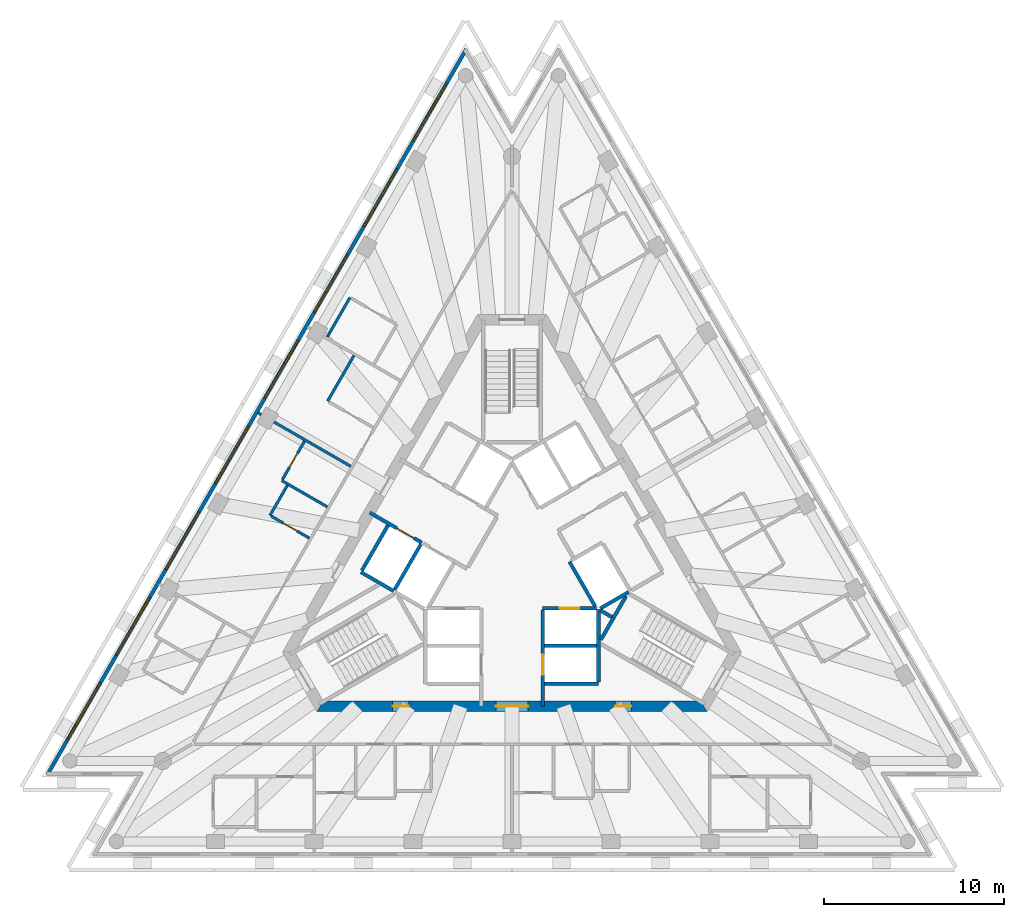
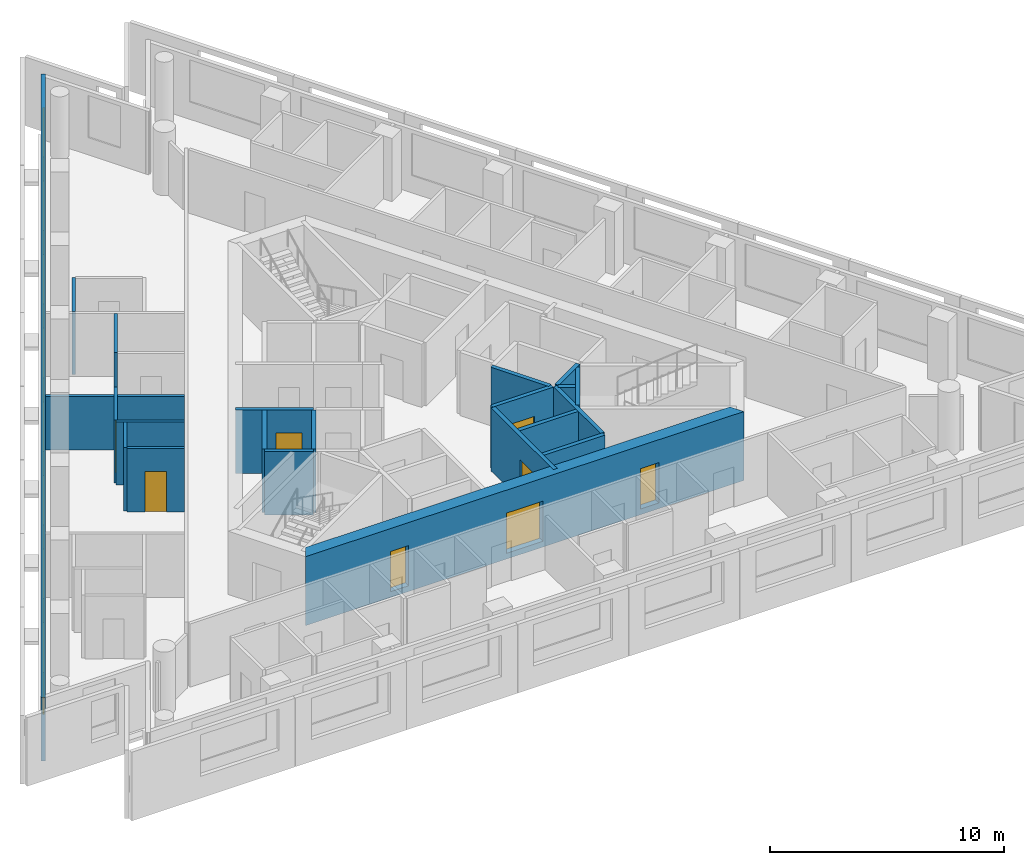
# One storey, part 4 of 9: 22 walls, 8 doors, 8 windows, 16 openings.
"""IFC4 building model written with IfcOpenShell, lengths in metres."""

from ifc_helpers import new_model, si_unit, direction, frame, frame_2d, origin, place, context, subcontext, project, spatial, polyline, rectangle, outline, extrude, material, layer, layer_set, layer_usage, type_object, element, fill, save


model = new_model("IFC4")

# Units and contexts
model_context = context("Model", 3, precision=1e-05, world=origin(), true_north=direction((0.0, 1.0)))
body_context = subcontext(model_context, "Body", "Model", "MODEL_VIEW")
ifc_project = project(units=[si_unit("LENGTHUNIT", "METRE"), si_unit("AREAUNIT", "SQUARE_METRE"), si_unit("VOLUMEUNIT", "CUBIC_METRE"), si_unit("PLANEANGLEUNIT", "RADIAN"), si_unit("MASSUNIT", "GRAM", prefix="KILO")], contexts=[model_context])

# Site, building, storey
site_placement = place(None, origin())
site = spatial("IfcSite", under=ifc_project, at=site_placement, CompositionType="ELEMENT")
building_placement = place(site_placement, origin())
building = spatial("IfcBuilding", under=site, at=building_placement, Name="Triada Interchange Tower", CompositionType="ELEMENT")
storey_placement = place(building_placement, frame((0.0, 0.0, 282.699951171875)))
storey = spatial("IfcBuildingStorey", under=building, at=storey_placement, Name="L66", CompositionType="ELEMENT", Elevation=282.699951171875)

# Walls
ifc_material_1 = material(Name="Concrete C30/37", Category="concrete")
ifc_layer_1 = layer(ifc_material_1, 0.199951171875)
ifc_layer_set_1 = layer_set([ifc_layer_1], Name="CORE WALL 200 EI 120")
wall_type_1 = type_object("IfcWallType", Name="CORE WALL 200 EI 120", PredefinedType="SOLIDWALL", material=ifc_layer_set_1)
wall_1_placement = place(storey_placement, frame((-8.3759765625, -0.70703125, 0.0), z_axis=(0.0, 0.0, 1.0), x_axis=(0.866067520717, -0.499927044236, 0.0)))
element("IfcWall", 1, at=wall_1_placement, inside=storey, type_object=wall_type_1, Name="Wall L65 70", PredefinedType="SOLIDWALL", context=body_context, shape_type="SweptSolid", body=[
    extrude(rectangle(XDim=2.100341796875, YDim=0.199951171875, at=frame_2d((1.05029296875, 0.0))), origin(), (0.0, 0.0, 1.0), 3.300048828125),
])
wall_2_placement = place(storey_placement, frame((-8.325927734375, -0.6201171875, 0.0), z_axis=(0.0, 0.0, 1.0), x_axis=(0.500023687443, 0.866011727401, 0.0)))
element("IfcWall", 2, at=wall_2_placement, inside=storey, type_object=wall_type_1, Name="Wall L65 71", PredefinedType="SOLIDWALL", context=body_context, shape_type="SweptSolid", body=[
    extrude(rectangle(XDim=2.899658203125, YDim=0.199951171875, at=frame_2d((1.44970703125, 0.0))), origin(), (0.0, 0.0, 1.0), 3.300048828125),
])
wall_3_placement = place(storey_placement, frame((1.800048828125, -4.800048828125, 0.0), z_axis=(0.0, 0.0, 1.0), x_axis=(1.0, 0.0, 0.0)))
element("IfcWall", 3, at=wall_3_placement, inside=storey, type_object=wall_type_1, Name="Wall L65 73", PredefinedType="SOLIDWALL", context=body_context, shape_type="SweptSolid", body=[
    extrude(rectangle(XDim=2.89990234375, YDim=0.199951171875, at=frame_2d((1.449951171875, 0.0))), origin(), (0.0, 0.0, 1.0), 3.300048828125),
])
wall_4_placement = place(storey_placement, frame((1.800048828125, -6.89990234375, 0.0), z_axis=(0.0, 0.0, 1.0), x_axis=(1.0, 0.0, 0.0)))
element("IfcWall", 4, at=wall_4_placement, inside=storey, type_object=wall_type_1, Name="Wall L65 76", PredefinedType="SOLIDWALL", context=body_context, shape_type="SweptSolid", body=[
    extrude(rectangle(XDim=3.0, YDim=0.199951171875, at=frame_2d((1.5, 0.0))), origin(), (0.0, 0.0, 1.0), 3.300048828125),
])

# Wall, opening, door
wall_5_placement = place(storey_placement, frame((1.702880859375, -2.699951171875, 0.0), z_axis=(0.0, 0.0, 1.0), x_axis=(1.0, 0.0, 0.0)))
wall_5 = element("IfcWall", 5, at=wall_5_placement, inside=storey, type_object=wall_type_1, Name="Wall L65 79", PredefinedType="SOLIDWALL", context=body_context, shape_type="SweptSolid", body=[
    extrude(rectangle(XDim=2.97314453125, YDim=0.199951171875, at=frame_2d((1.486572265625, 0.0))), origin(), (0.0, 0.0, 1.0), 3.300048828125),
])
opening_1_placement = place(wall_5_placement, frame((0.93603515625, 0.0, 0.0)))
opening_1 = element("IfcOpeningElement", 6, at=opening_1_placement, cuts=wall_5, Name="Opening LD-HR1", PredefinedType="OPENING", context=body_context, shape_type="SweptSolid", body=[
    extrude(rectangle(XDim=1.10009765625, YDim=2.10009765625, at=frame_2d((0.550048828125, 1.050048828125))), frame((0.0, 0.10986328125, 0.0), z_axis=(0.0, -1.0, 0.0), x_axis=(1.0, 0.0, 0.0)), (0.0, 0.0, 1.0), 0.219970703125),
])
ifc_material_2 = material(Name="Steel S235 door leaf", Category="steel")
door_type_1 = type_object("IfcDoorType", Name="LIFT LANDING DOOR 1100 EI 120", OperationType="SLIDING_TO_LEFT", PredefinedType="DOOR", material=ifc_material_2)
door_1_placement = place(opening_1_placement, origin())
door_1 = element("IfcDoor", 7, at=door_1_placement, inside=storey, type_object=door_type_1, Name="HR1 landing door L66", OperationType="SLIDING_TO_LEFT", OverallHeight=2.10009765625, OverallWidth=1.10009765625, PredefinedType="DOOR", context=body_context, shape_type="SweptSolid", body=[
    extrude(rectangle(XDim=1.10009765625, YDim=2.10009765625, at=frame_2d((0.550048828125, 1.050048828125))), frame((0.0, 0.02490234375, 0.0), z_axis=(0.0, -1.0, 0.0), x_axis=(1.0, 0.0, 0.0)), (0.0, 0.0, 1.0), 0.050048828125),
])
fill(opening_1, door_1)

# Wall
wall_6_placement = place(storey_placement, frame((3.18994140625, -0.125, 0.0), z_axis=(0.0, 0.0, 1.0), x_axis=(0.499988658015, -0.866031951983, 0.0)))
element("IfcWall", 8, at=wall_6_placement, inside=storey, type_object=wall_type_1, Name="Wall L65 82", PredefinedType="SOLIDWALL", context=body_context, shape_type="SweptSolid", body=[
    extrude(rectangle(XDim=2.85791015625, YDim=0.199951171875, at=frame_2d((1.428955078125, 0.0))), origin(), (0.0, 0.0, 1.0), 3.300048828125),
])

# Wall, opening, door
wall_7_placement = place(storey_placement, frame((1.699951171875, -8.1298828125, 0.0), z_axis=(0.0, 0.0, 1.0), x_axis=(0.0, 1.0, 0.0)))
wall_7 = element("IfcWall", 9, at=wall_7_placement, inside=storey, type_object=wall_type_1, Name="Wall L65 84", PredefinedType="SOLIDWALL", context=body_context, shape_type="SweptSolid", body=[
    extrude(rectangle(XDim=5.326904296875, YDim=0.199951171875, at=frame_2d((2.66357421875, 0.0))), origin(), (0.0, 0.0, 1.0), 3.300048828125),
])
opening_2_placement = place(wall_7_placement, frame((1.72998046875, 0.0, 0.0)))
opening_2 = element("IfcOpeningElement", 10, at=opening_2_placement, cuts=wall_7, Name="Opening LD-HR2", PredefinedType="OPENING", context=body_context, shape_type="SweptSolid", body=[
    extrude(rectangle(XDim=1.10009765625, YDim=2.10009765625, at=frame_2d((0.550048828125, 1.050048828125))), frame((0.0, 0.10986328125, 0.0), z_axis=(0.0, -1.0, 0.0), x_axis=(1.0, 0.0, 0.0)), (0.0, 0.0, 1.0), 0.219970703125),
])
door_2_placement = place(opening_2_placement, origin())
door_2 = element("IfcDoor", 11, at=door_2_placement, inside=storey, type_object=door_type_1, Name="HR2 landing door L66", OperationType="SLIDING_TO_LEFT", OverallHeight=2.10009765625, OverallWidth=1.10009765625, PredefinedType="DOOR", context=body_context, shape_type="SweptSolid", body=[
    extrude(rectangle(XDim=1.10009765625, YDim=2.10009765625, at=frame_2d((0.550048828125, 1.050048828125))), frame((0.0, 0.02490234375, 0.0), z_axis=(0.0, -1.0, 0.0), x_axis=(1.0, 0.0, 0.0)), (0.0, 0.0, 1.0), 0.050048828125),
])
fill(opening_2, door_2)

# Walls
wall_8_placement = place(storey_placement, frame((4.800048828125, -6.800048828125, 0.0), z_axis=(0.0, 0.0, 1.0), x_axis=(0.0, 1.0, 0.0)))
element("IfcWall", 12, at=wall_8_placement, inside=storey, type_object=wall_type_1, Name="Wall L65 85", PredefinedType="SOLIDWALL", context=body_context, shape_type="SweptSolid", body=[
    extrude(rectangle(XDim=4.029052734375, YDim=0.199951171875, at=frame_2d((2.0146484375, 0.0))), origin(), (0.0, 0.0, 1.0), 3.300048828125),
])
wall_9_placement = place(storey_placement, frame((4.89990234375, -2.714111328125, 0.0), z_axis=(0.0, 0.0, 1.0), x_axis=(0.865846928409, 0.500309001083, 0.0)))
element("IfcWall", 13, at=wall_9_placement, inside=storey, type_object=wall_type_1, Name="Wall L65 91", PredefinedType="SOLIDWALL", context=body_context, shape_type="SweptSolid", body=[
    extrude(rectangle(XDim=1.813232421875, YDim=0.199951171875, at=frame_2d((0.90673828125, 0.0))), origin(), (0.0, 0.0, 1.0), 3.300048828125),
])

# Wall, opening, door
ifc_layer_2 = layer(ifc_material_1, 0.199951171875)
ifc_layer_set_2 = layer_set([ifc_layer_2], Name="CORE WALL 200 EI 180")
wall_type_2 = type_object("IfcWallType", Name="CORE WALL 200 EI 180", PredefinedType="SOLIDWALL", material=ifc_layer_set_2)
wall_10_placement = place(storey_placement, frame((-7.89111328125, 2.593017578125, 0.0), z_axis=(0.0, 0.0, 1.0), x_axis=(0.866070917804, -0.499921159118, 0.0)))
wall_10 = element("IfcWall", 14, at=wall_10_placement, inside=storey, type_object=wall_type_2, Name="Wall L65 95", PredefinedType="SOLIDWALL", context=body_context, shape_type="SweptSolid", body=[
    extrude(rectangle(XDim=3.33251953125, YDim=0.199951171875, at=frame_2d((1.666259765625, 0.0))), origin(), (0.0, 0.0, 1.0), 3.300048828125),
])
opening_3_placement = place(wall_10_placement, frame((1.72998046875, 0.0, 0.0)))
opening_3 = element("IfcOpeningElement", 15, at=opening_3_placement, cuts=wall_10, Name="Opening LD-SV1", PredefinedType="OPENING", context=body_context, shape_type="SweptSolid", body=[
    extrude(rectangle(XDim=1.10009765625, YDim=2.10009765625, at=frame_2d((0.550048828125, 1.050048828125))), frame((0.0, 0.10986328125, 0.0), z_axis=(0.0, -1.0, 0.0), x_axis=(1.0, 0.0, 0.0)), (0.0, 0.0, 1.0), 0.219970703125),
])
door_3_placement = place(opening_3_placement, origin())
door_3 = element("IfcDoor", 16, at=door_3_placement, inside=storey, type_object=door_type_1, Name="SV1 landing door L66", OperationType="SLIDING_TO_LEFT", OverallHeight=2.10009765625, OverallWidth=1.10009765625, PredefinedType="DOOR", context=body_context, shape_type="SweptSolid", body=[
    extrude(rectangle(XDim=1.10009765625, YDim=2.10009765625, at=frame_2d((0.550048828125, 1.050048828125))), frame((0.0, 0.02490234375, 0.0), z_axis=(0.0, -1.0, 0.0), x_axis=(1.0, 0.0, 0.0)), (0.0, 0.0, 1.0), 0.050048828125),
])
fill(opening_3, door_3)

# Walls
wall_11_placement = place(storey_placement, frame((-6.507080078125, -1.669921875, 0.0), z_axis=(0.0, 0.0, 1.0), x_axis=(0.50012328804, 0.865954211699, 0.0)))
element("IfcWall", 17, at=wall_11_placement, inside=storey, type_object=wall_type_2, Name="Shaft wall FF1 L65 102", PredefinedType="SOLIDWALL", context=body_context, shape_type="SweptSolid", body=[
    extrude(rectangle(XDim=2.899658203125, YDim=0.199951171875, at=frame_2d((1.44970703125, 0.0))), origin(), (0.0, 0.0, 1.0), 3.300048828125),
])
ifc_layer_3 = layer(ifc_material_1, 0.199951171875)
ifc_layer_set_3 = layer_set([ifc_layer_3], Name="CORE WALL 200 EI 90")
wall_type_3 = type_object("IfcWallType", Name="CORE WALL 200 EI 90", PredefinedType="SOLIDWALL", material=ifc_layer_set_3)
wall_12_placement = place(storey_placement, frame((4.89990234375, -2.8291015625, 0.0), z_axis=(0.0, 0.0, 1.0), x_axis=(0.866273177064, -0.499570598314, 0.0)))
element("IfcWall", 18, at=wall_12_placement, inside=storey, type_object=wall_type_3, Name="Wall L65 111", PredefinedType="SOLIDWALL", context=body_context, shape_type="SweptSolid", body=[
    extrude(rectangle(XDim=0.742431640625, YDim=0.199951171875, at=frame_2d((0.37109375, 0.0))), origin(), (0.0, 0.0, 1.0), 3.300048828125),
])
ifc_layer_4 = layer(ifc_material_1, 0.199951171875)
ifc_layer_set_4 = layer_set([ifc_layer_4], Name="CORE WALL 200 REI 240")
wall_type_4 = type_object("IfcWallType", Name="CORE WALL 200 REI 240", PredefinedType="SOLIDWALL", material=ifc_layer_set_4)
wall_13_placement = place(storey_placement, frame((4.928955078125, -4.4619140625, 0.0), z_axis=(0.0, 0.0, 1.0), x_axis=(0.500200581029, 0.865909567298, 0.0)))
element("IfcWall", 19, at=wall_13_placement, inside=storey, type_object=wall_type_4, Name="Wall L65 121", PredefinedType="SOLIDWALL", context=body_context, shape_type="SweptSolid", body=[
    extrude(rectangle(XDim=2.799072265625, YDim=0.199951171875, at=frame_2d((1.3994140625, 0.0))), origin(), (0.0, 0.0, 1.0), 3.300048828125),
])

# Wall, openings, doors
ifc_material_3 = material(Name="Concrete C40/50", Category="concrete")
ifc_layer_5 = layer(ifc_material_3, 0.60009765625)
ifc_layer_set_5 = layer_set([ifc_layer_5], Name="Core wall D 600")
wall_type_5 = type_object("IfcWallType", Name="Core wall D 600", PredefinedType="SHEAR", material=ifc_layer_set_5)
wall_14_placement = place(storey_placement, frame((-10.652099609375, -8.14990234375, -0.300048828125), z_axis=(0.0, 0.0, 1.0), x_axis=(1.0, 0.0, 0.0)))
wall_14 = element("IfcWall", 20, at=wall_14_placement, inside=storey, type_object=wall_type_5, Name="Core wall WD04 L66", PredefinedType="SHEAR", context=body_context, shape_type="SweptSolid", body=[
    extrude(outline(polyline([(-0.173095703125, -0.300048828125), (1.795166015625, -0.300048828125), (3.76318359375, -0.300048828125), (5.7314453125, -0.300048828125), (7.69970703125, -0.300048828125), (9.66796875, -0.300048828125), (11.635986328125, -0.300048828125), (13.604248046875, -0.300048828125), (15.572509765625, -0.300048828125), (17.540771484375, -0.300048828125), (19.5087890625, -0.300048828125), (21.47705078125, -0.300048828125), (21.131103515625, 0.300048828125), (19.225830078125, 0.300048828125), (17.320556640625, 0.300048828125), (15.415283203125, 0.300048828125), (13.510009765625, 0.300048828125), (11.604736328125, 0.300048828125), (9.699462890625, 0.300048828125), (7.794189453125, 0.300048828125), (5.888916015625, 0.300048828125), (3.983642578125, 0.300048828125), (2.078369140625, 0.300048828125), (0.173095703125, 0.300048828125), (-0.173095703125, -0.300048828125)])), origin(), (0.0, 0.0, 1.0), 3.60009765625),
])
opening_4_placement = place(wall_14_placement, frame((9.751953125, 0.0, 0.300048828125)))
opening_4 = element("IfcOpeningElement", 21, at=opening_4_placement, cuts=wall_14, Name="Opening D65-48", PredefinedType="OPENING", context=body_context, shape_type="SweptSolid", body=[
    extrude(rectangle(XDim=1.800048828125, YDim=2.10009765625, at=frame_2d((0.89990234375, 1.050048828125))), frame((0.0, 0.31005859375, 0.0), z_axis=(0.0, -1.0, 0.0), x_axis=(1.0, 0.0, 0.0)), (0.0, 0.0, 1.0), 0.6201171875),
])
opening_5_placement = place(wall_14_placement, frame((4.02587890625, 0.0, 0.300048828125)))
opening_5 = element("IfcOpeningElement", 22, at=opening_5_placement, cuts=wall_14, Name="Opening D65-54", PredefinedType="OPENING", context=body_context, shape_type="SweptSolid", body=[
    extrude(rectangle(XDim=0.89990234375, YDim=2.10009765625, at=frame_2d((0.449951171875, 1.050048828125))), frame((0.0, 0.31005859375, 0.0), z_axis=(0.0, -1.0, 0.0), x_axis=(1.0, 0.0, 0.0)), (0.0, 0.0, 1.0), 0.6201171875),
])
opening_6_placement = place(wall_14_placement, frame((16.3779296875, 0.0, 0.300048828125)))
opening_6 = element("IfcOpeningElement", 23, at=opening_6_placement, cuts=wall_14, Name="Opening D65-56", PredefinedType="OPENING", context=body_context, shape_type="SweptSolid", body=[
    extrude(rectangle(XDim=0.89990234375, YDim=2.10009765625, at=frame_2d((0.449951171875, 1.050048828125))), frame((0.0, 0.31005859375, 0.0), z_axis=(0.0, -1.0, 0.0), x_axis=(1.0, 0.0, 0.0)), (0.0, 0.0, 1.0), 0.6201171875),
])
door_type_2 = type_object("IfcDoorType", Name="LOBBY DOOR 1800 EI2 90-C5S200", OperationType="DOUBLE_DOOR_SINGLE_SWING", PredefinedType="DOOR", material=ifc_material_2)
door_4_placement = place(opening_4_placement, origin())
door_4 = element("IfcDoor", 24, at=door_4_placement, inside=storey, type_object=door_type_2, Name="Door D65-48 L66", OperationType="DOUBLE_DOOR_SINGLE_SWING", OverallHeight=2.10009765625, OverallWidth=1.800048828125, PredefinedType="DOOR", context=body_context, shape_type="SweptSolid", body=[
    extrude(rectangle(XDim=1.800048828125, YDim=2.10009765625, at=frame_2d((0.89990234375, 1.050048828125))), frame((0.0, 0.02490234375, 0.0), z_axis=(0.0, -1.0, 0.0), x_axis=(1.0, 0.0, 0.0)), (0.0, 0.0, 1.0), 0.050048828125),
])
fill(opening_4, door_4)
door_type_3 = type_object("IfcDoorType", Name="SERVICE DOOR 900 EI2 45-C5S200", OperationType="NOTDEFINED", PredefinedType="DOOR", material=ifc_material_2)
door_5_placement = place(opening_5_placement, origin())
door_5 = element("IfcDoor", 25, at=door_5_placement, inside=storey, type_object=door_type_3, Name="Door D65-54 L66", OperationType="SINGLE_SWING_RIGHT", OverallHeight=2.10009765625, OverallWidth=0.89990234375, PredefinedType="DOOR", context=body_context, shape_type="SweptSolid", body=[
    extrude(rectangle(XDim=0.89990234375, YDim=2.10009765625, at=frame_2d((0.449951171875, 1.050048828125))), frame((0.0, 0.02490234375, 0.0), z_axis=(0.0, -1.0, 0.0), x_axis=(1.0, 0.0, 0.0)), (0.0, 0.0, 1.0), 0.050048828125),
])
fill(opening_5, door_5)
door_6_placement = place(opening_6_placement, origin())
door_6 = element("IfcDoor", 26, at=door_6_placement, inside=storey, type_object=door_type_3, Name="Door D65-56 L66", OperationType="SINGLE_SWING_RIGHT", OverallHeight=2.10009765625, OverallWidth=0.89990234375, PredefinedType="DOOR", context=body_context, shape_type="SweptSolid", body=[
    extrude(rectangle(XDim=0.89990234375, YDim=2.10009765625, at=frame_2d((0.449951171875, 1.050048828125))), frame((0.0, 0.02490234375, 0.0), z_axis=(0.0, -1.0, 0.0), x_axis=(1.0, 0.0, 0.0)), (0.0, 0.0, 1.0), 0.050048828125),
])
fill(opening_6, door_6)

# Wall, openings, windows
ifc_material_4 = material(Name="Cement board")
ifc_layer_6 = layer(ifc_material_4, 0.02001953125, Name="Cement board cladding")
ifc_material_5 = material(Name="Sheathing board")
ifc_layer_7 = layer(ifc_material_5, 0.014892578125, Name="Sheathing board")
ifc_material_6 = material(Name="Mineral wool")
ifc_layer_8 = layer(ifc_material_6, 0.14990234375, Name="Mineral wool between steel studs")
ifc_material_7 = material(Name="Gypsum board")
ifc_layer_9 = layer(ifc_material_7, 0.014892578125, Name="Plasterboard lining")
ifc_layer_set_6 = layer_set([ifc_layer_6, ifc_layer_7, ifc_layer_8, ifc_layer_9], Name="External wall 200")
ifc_layer_usage = layer_usage(ifc_layer_set_6, "AXIS2", "POSITIVE", -0.10009765625)
wall_type_6 = type_object("IfcWallType", Name="External wall 200", PredefinedType="ELEMENTEDWALL", material=ifc_layer_set_6)
wall_15_placement = place(storey_placement, frame((-2.535888671875, 28.31591796875, 0.0), z_axis=(0.0, 0.0, 1.0), x_axis=(-0.500006870765, -0.86602143691, 0.0)))
wall_15 = element("IfcWall", 27, at=wall_15_placement, inside=storey, type_object=wall_type_6, material=ifc_layer_usage, Name="External wall L66 NW", PredefinedType="ELEMENTEDWALL", context=body_context, shape_type="SweptSolid", body=[
    extrude(rectangle(XDim=46.489501953125, YDim=0.199951171875, at=frame_2d((23.24462890625, 0.0))), origin(), (0.0, 0.0, 1.0), 3.300048828125),
])
opening_7_placement = place(wall_15_placement, frame((2.196044921875, 0.0, 0.89990234375)))
opening_7 = element("IfcOpeningElement", 28, at=opening_7_placement, cuts=wall_15, Name="Opening WD01", PredefinedType="OPENING", context=body_context, shape_type="SweptSolid", body=[
    extrude(rectangle(XDim=3.699951171875, YDim=2.199951171875, at=frame_2d((1.85009765625, 1.10009765625))), frame((0.0, 0.10986328125, 0.0), z_axis=(0.0, -1.0, 0.0), x_axis=(1.0, 0.0, 0.0)), (0.0, 0.0, 1.0), 0.219970703125),
])
opening_8_placement = place(wall_15_placement, frame((7.68408203125, 0.0, 0.89990234375)))
opening_8 = element("IfcOpeningElement", 29, at=opening_8_placement, cuts=wall_15, Name="Opening WD02", PredefinedType="OPENING", context=body_context, shape_type="SweptSolid", body=[
    extrude(rectangle(XDim=3.699951171875, YDim=2.199951171875, at=frame_2d((1.85009765625, 1.10009765625))), frame((0.0, 0.10986328125, 0.0), z_axis=(0.0, -1.0, 0.0), x_axis=(1.0, 0.0, 0.0)), (0.0, 0.0, 1.0), 0.219970703125),
])
opening_9_placement = place(wall_15_placement, frame((13.172119140625, 0.0, 0.89990234375)))
opening_9 = element("IfcOpeningElement", 30, at=opening_9_placement, cuts=wall_15, Name="Opening WD03", PredefinedType="OPENING", context=body_context, shape_type="SweptSolid", body=[
    extrude(rectangle(XDim=3.699951171875, YDim=2.199951171875, at=frame_2d((1.85009765625, 1.10009765625))), frame((0.0, 0.10986328125, 0.0), z_axis=(0.0, -1.0, 0.0), x_axis=(1.0, 0.0, 0.0)), (0.0, 0.0, 1.0), 0.219970703125),
])
opening_10_placement = place(wall_15_placement, frame((18.659912109375, 0.0, 0.89990234375)))
opening_10 = element("IfcOpeningElement", 31, at=opening_10_placement, cuts=wall_15, Name="Opening WD04", PredefinedType="OPENING", context=body_context, shape_type="SweptSolid", body=[
    extrude(rectangle(XDim=3.699951171875, YDim=2.199951171875, at=frame_2d((1.85009765625, 1.10009765625))), frame((0.0, 0.10986328125, 0.0), z_axis=(0.0, -1.0, 0.0), x_axis=(1.0, 0.0, 0.0)), (0.0, 0.0, 1.0), 0.219970703125),
])
opening_11_placement = place(wall_15_placement, frame((24.14794921875, 0.0, 0.89990234375)))
opening_11 = element("IfcOpeningElement", 32, at=opening_11_placement, cuts=wall_15, Name="Opening WD05", PredefinedType="OPENING", context=body_context, shape_type="SweptSolid", body=[
    extrude(rectangle(XDim=3.699951171875, YDim=2.199951171875, at=frame_2d((1.85009765625, 1.10009765625))), frame((0.0, 0.10986328125, 0.0), z_axis=(0.0, -1.0, 0.0), x_axis=(1.0, 0.0, 0.0)), (0.0, 0.0, 1.0), 0.219970703125),
])
opening_12_placement = place(wall_15_placement, frame((29.635986328125, 0.0, 0.89990234375)))
opening_12 = element("IfcOpeningElement", 33, at=opening_12_placement, cuts=wall_15, Name="Opening WD06", PredefinedType="OPENING", context=body_context, shape_type="SweptSolid", body=[
    extrude(rectangle(XDim=3.699951171875, YDim=2.199951171875, at=frame_2d((1.85009765625, 1.10009765625))), frame((0.0, 0.10986328125, 0.0), z_axis=(0.0, -1.0, 0.0), x_axis=(1.0, 0.0, 0.0)), (0.0, 0.0, 1.0), 0.219970703125),
])
opening_13_placement = place(wall_15_placement, frame((35.1240234375, 0.0, 0.89990234375)))
opening_13 = element("IfcOpeningElement", 34, at=opening_13_placement, cuts=wall_15, Name="Opening WD07", PredefinedType="OPENING", context=body_context, shape_type="SweptSolid", body=[
    extrude(rectangle(XDim=3.699951171875, YDim=2.199951171875, at=frame_2d((1.85009765625, 1.10009765625))), frame((0.0, 0.10986328125, 0.0), z_axis=(0.0, -1.0, 0.0), x_axis=(1.0, 0.0, 0.0)), (0.0, 0.0, 1.0), 0.219970703125),
])
opening_14_placement = place(wall_15_placement, frame((40.612060546875, 0.0, 0.89990234375)))
opening_14 = element("IfcOpeningElement", 35, at=opening_14_placement, cuts=wall_15, Name="Opening WD08", PredefinedType="OPENING", context=body_context, shape_type="SweptSolid", body=[
    extrude(rectangle(XDim=3.699951171875, YDim=2.199951171875, at=frame_2d((1.85009765625, 1.10009765625))), frame((0.0, 0.10986328125, 0.0), z_axis=(0.0, -1.0, 0.0), x_axis=(1.0, 0.0, 0.0)), (0.0, 0.0, 1.0), 0.219970703125),
])
ifc_material_8 = material(Name="Double glazed aluminium window", Category="aluminium")
window_type = type_object("IfcWindowType", Name="Ribbon window D face", PartitioningType="SINGLE_PANEL", PredefinedType="WINDOW", material=ifc_material_8)
window_1_placement = place(opening_7_placement, origin())
window_1 = element("IfcWindow", 36, at=window_1_placement, inside=storey, type_object=window_type, Name="Window L66 NW 1", OverallHeight=2.199951171875, OverallWidth=3.699951171875, PartitioningType="SINGLE_PANEL", PredefinedType="WINDOW", context=body_context, shape_type="SweptSolid", body=[
    extrude(rectangle(XDim=3.699951171875, YDim=2.199951171875, at=frame_2d((1.85009765625, 1.10009765625))), frame((0.0, 0.030029296875, 0.0), z_axis=(0.0, -1.0, 0.0), x_axis=(1.0, 0.0, 0.0)), (0.0, 0.0, 1.0), 0.06005859375),
])
fill(opening_7, window_1)
window_2_placement = place(opening_8_placement, origin())
window_2 = element("IfcWindow", 37, at=window_2_placement, inside=storey, type_object=window_type, Name="Window L66 NW 2", OverallHeight=2.199951171875, OverallWidth=3.699951171875, PartitioningType="SINGLE_PANEL", PredefinedType="WINDOW", context=body_context, shape_type="SweptSolid", body=[
    extrude(rectangle(XDim=3.699951171875, YDim=2.199951171875, at=frame_2d((1.85009765625, 1.10009765625))), frame((0.0, 0.030029296875, 0.0), z_axis=(0.0, -1.0, 0.0), x_axis=(1.0, 0.0, 0.0)), (0.0, 0.0, 1.0), 0.06005859375),
])
fill(opening_8, window_2)
window_3_placement = place(opening_9_placement, origin())
window_3 = element("IfcWindow", 38, at=window_3_placement, inside=storey, type_object=window_type, Name="Window L66 NW 3", OverallHeight=2.199951171875, OverallWidth=3.699951171875, PartitioningType="SINGLE_PANEL", PredefinedType="WINDOW", context=body_context, shape_type="SweptSolid", body=[
    extrude(rectangle(XDim=3.699951171875, YDim=2.199951171875, at=frame_2d((1.85009765625, 1.10009765625))), frame((0.0, 0.030029296875, 0.0), z_axis=(0.0, -1.0, 0.0), x_axis=(1.0, 0.0, 0.0)), (0.0, 0.0, 1.0), 0.06005859375),
])
fill(opening_9, window_3)
window_4_placement = place(opening_10_placement, origin())
window_4 = element("IfcWindow", 39, at=window_4_placement, inside=storey, type_object=window_type, Name="Window L66 NW 4", OverallHeight=2.199951171875, OverallWidth=3.699951171875, PartitioningType="SINGLE_PANEL", PredefinedType="WINDOW", context=body_context, shape_type="SweptSolid", body=[
    extrude(rectangle(XDim=3.699951171875, YDim=2.199951171875, at=frame_2d((1.85009765625, 1.10009765625))), frame((0.0, 0.030029296875, 0.0), z_axis=(0.0, -1.0, 0.0), x_axis=(1.0, 0.0, 0.0)), (0.0, 0.0, 1.0), 0.06005859375),
])
fill(opening_10, window_4)
window_5_placement = place(opening_11_placement, origin())
window_5 = element("IfcWindow", 40, at=window_5_placement, inside=storey, type_object=window_type, Name="Window L66 NW 5", OverallHeight=2.199951171875, OverallWidth=3.699951171875, PartitioningType="SINGLE_PANEL", PredefinedType="WINDOW", context=body_context, shape_type="SweptSolid", body=[
    extrude(rectangle(XDim=3.699951171875, YDim=2.199951171875, at=frame_2d((1.85009765625, 1.10009765625))), frame((0.0, 0.030029296875, 0.0), z_axis=(0.0, -1.0, 0.0), x_axis=(1.0, 0.0, 0.0)), (0.0, 0.0, 1.0), 0.06005859375),
])
fill(opening_11, window_5)
window_6_placement = place(opening_12_placement, origin())
window_6 = element("IfcWindow", 41, at=window_6_placement, inside=storey, type_object=window_type, Name="Window L66 NW 6", OverallHeight=2.199951171875, OverallWidth=3.699951171875, PartitioningType="SINGLE_PANEL", PredefinedType="WINDOW", context=body_context, shape_type="SweptSolid", body=[
    extrude(rectangle(XDim=3.699951171875, YDim=2.199951171875, at=frame_2d((1.85009765625, 1.10009765625))), frame((0.0, 0.030029296875, 0.0), z_axis=(0.0, -1.0, 0.0), x_axis=(1.0, 0.0, 0.0)), (0.0, 0.0, 1.0), 0.06005859375),
])
fill(opening_12, window_6)
window_7_placement = place(opening_13_placement, origin())
window_7 = element("IfcWindow", 42, at=window_7_placement, inside=storey, type_object=window_type, Name="Window L66 NW 7", OverallHeight=2.199951171875, OverallWidth=3.699951171875, PartitioningType="SINGLE_PANEL", PredefinedType="WINDOW", context=body_context, shape_type="SweptSolid", body=[
    extrude(rectangle(XDim=3.699951171875, YDim=2.199951171875, at=frame_2d((1.85009765625, 1.10009765625))), frame((0.0, 0.030029296875, 0.0), z_axis=(0.0, -1.0, 0.0), x_axis=(1.0, 0.0, 0.0)), (0.0, 0.0, 1.0), 0.06005859375),
])
fill(opening_13, window_7)
window_8_placement = place(opening_14_placement, origin())
window_8 = element("IfcWindow", 43, at=window_8_placement, inside=storey, type_object=window_type, Name="Window L66 NW 8", OverallHeight=2.199951171875, OverallWidth=3.699951171875, PartitioningType="SINGLE_PANEL", PredefinedType="WINDOW", context=body_context, shape_type="SweptSolid", body=[
    extrude(rectangle(XDim=3.699951171875, YDim=2.199951171875, at=frame_2d((1.85009765625, 1.10009765625))), frame((0.0, 0.030029296875, 0.0), z_axis=(0.0, -1.0, 0.0), x_axis=(1.0, 0.0, 0.0)), (0.0, 0.0, 1.0), 0.06005859375),
])
fill(opening_14, window_8)

# Walls
ifc_material_9 = material(Name="Gypsum board partition")
ifc_layer_10 = layer(ifc_material_9, 0.14990234375)
ifc_layer_set_7 = layer_set([ifc_layer_10], Name="PARTITION 150 EI 180")
wall_type_7 = type_object("IfcWallType", Name="PARTITION 150 EI 180", PredefinedType="PARTITIONING", material=ifc_layer_set_7)
wall_16_placement = place(storey_placement, frame((-14.093994140625, 8.136962890625, 0.0), z_axis=(0.0, 0.0, 1.0), x_axis=(0.866004483474, -0.50003623329, 0.0)))
element("IfcWall", 44, at=wall_16_placement, inside=storey, type_object=wall_type_7, Name="Wall L65 6", PredefinedType="PARTITIONING", context=body_context, shape_type="SweptSolid", body=[
    extrude(rectangle(XDim=5.94921875, YDim=0.14990234375, at=frame_2d((2.974609375, 0.0))), origin(), (0.0, 0.0, 1.0), 2.800048828125),
])
ifc_layer_11 = layer(ifc_material_9, 0.14990234375)
ifc_layer_set_8 = layer_set([ifc_layer_11], Name="PARTITION 150 EI 90")
wall_type_8 = type_object("IfcWallType", Name="PARTITION 150 EI 90", PredefinedType="PARTITIONING", material=ifc_layer_set_8)
wall_17_placement = place(storey_placement, frame((-10.251953125, 12.343017578125, 0.0), z_axis=(0.0, 0.0, 1.0), x_axis=(0.499956887143, 0.866050293573, 0.0)))
element("IfcWall", 45, at=wall_17_placement, inside=storey, type_object=wall_type_8, Name="Wall L65 37", PredefinedType="PARTITIONING", context=body_context, shape_type="SweptSolid", body=[
    extrude(rectangle(XDim=2.524169921875, YDim=0.14990234375, at=frame_2d((1.26220703125, 0.0))), origin(), (0.0, 0.0, 1.0), 3.300048828125),
])
wall_18_placement = place(storey_placement, frame((-12.77490234375, 4.373046875, 0.0), z_axis=(0.0, 0.0, 1.0), x_axis=(0.866061874444, -0.499936825643, 0.0)))
element("IfcWall", 46, at=wall_18_placement, inside=storey, type_object=wall_type_8, Name="Wall L65 46", PredefinedType="PARTITIONING", context=body_context, shape_type="SweptSolid", body=[
    extrude(rectangle(XDim=2.9248046875, YDim=0.14990234375, at=frame_2d((1.46240234375, 0.0))), origin(), (0.0, 0.0, 1.0), 3.300048828125),
])

# Wall, opening, door
wall_19_placement = place(storey_placement, frame((-12.737060546875, 4.43798828125, 0.0), z_axis=(0.0, 0.0, 1.0), x_axis=(0.499975448907, 0.8660395779, 0.0)))
wall_19 = element("IfcWall", 47, at=wall_19_placement, inside=storey, type_object=wall_type_8, Name="Wall L65 47", PredefinedType="PARTITIONING", context=body_context, shape_type="SweptSolid", body=[
    extrude(rectangle(XDim=2.4501953125, YDim=0.14990234375, at=frame_2d((1.22509765625, 0.0))), origin(), (0.0, 0.0, 1.0), 3.300048828125),
])
opening_15_placement = place(wall_19_placement, frame((0.77490234375, 0.0, 0.0)))
opening_15 = element("IfcOpeningElement", 48, at=opening_15_placement, cuts=wall_19, Name="Opening D65-43", PredefinedType="OPENING", context=body_context, shape_type="SweptSolid", body=[
    extrude(rectangle(XDim=0.89990234375, YDim=2.10009765625, at=frame_2d((0.449951171875, 1.050048828125))), frame((0.0, 0.0849609375, 0.0), z_axis=(0.0, -1.0, 0.0), x_axis=(1.0, 0.0, 0.0)), (0.0, 0.0, 1.0), 0.169921875),
])
door_type_4 = type_object("IfcDoorType", Name="ROOM DOOR 900 EI2 45-C5S200", OperationType="NOTDEFINED", PredefinedType="DOOR", material=ifc_material_2)
door_7_placement = place(opening_15_placement, origin())
door_7 = element("IfcDoor", 49, at=door_7_placement, inside=storey, type_object=door_type_4, Name="Door D65-43 L66", OperationType="SINGLE_SWING_LEFT", OverallHeight=2.10009765625, OverallWidth=0.89990234375, PredefinedType="DOOR", context=body_context, shape_type="SweptSolid", body=[
    extrude(rectangle(XDim=0.89990234375, YDim=2.10009765625, at=frame_2d((0.449951171875, 1.050048828125))), frame((0.0, 0.02490234375, 0.0), z_axis=(0.0, -1.0, 0.0), x_axis=(1.0, 0.0, 0.0)), (0.0, 0.0, 1.0), 0.050048828125),
])
fill(opening_15, door_7)

# Walls
wall_20_placement = place(storey_placement, frame((-10.23095703125, 8.780029296875, 0.0), z_axis=(0.0, 0.0, 1.0), x_axis=(0.500124626836, 0.865953438489, 0.0)))
element("IfcWall", 50, at=wall_20_placement, inside=storey, type_object=wall_type_8, Name="Wall L65 48", PredefinedType="PARTITIONING", context=body_context, shape_type="SweptSolid", body=[
    extrude(rectangle(XDim=2.925048828125, YDim=0.14990234375, at=frame_2d((1.46240234375, 0.0))), origin(), (0.0, 0.0, 1.0), 3.300048828125),
])
wall_21_placement = place(storey_placement, frame((-13.427978515625, 2.44091796875, 0.0), z_axis=(0.0, 0.0, 1.0), x_axis=(0.499795662447, 0.866143345988, 0.0)))
element("IfcWall", 51, at=wall_21_placement, inside=storey, type_object=wall_type_8, Name="Wall L65 49", PredefinedType="PARTITIONING", context=body_context, shape_type="SweptSolid", body=[
    extrude(rectangle(XDim=1.924560546875, YDim=0.14990234375, at=frame_2d((0.96240234375, 0.0))), origin(), (0.0, 0.0, 1.0), 3.300048828125),
])

# Wall, opening, door
wall_22_placement = place(storey_placement, frame((-13.364013671875, 2.404052734375, 0.0), z_axis=(0.0, 0.0, 1.0), x_axis=(0.8660395779, -0.499975448907, 0.0)))
wall_22 = element("IfcWall", 52, at=wall_22_placement, inside=storey, type_object=wall_type_8, Name="Wall L65 50", PredefinedType="PARTITIONING", context=body_context, shape_type="SweptSolid", body=[
    extrude(rectangle(XDim=2.4501953125, YDim=0.14990234375, at=frame_2d((1.22509765625, 0.0))), origin(), (0.0, 0.0, 1.0), 3.300048828125),
])
opening_16_placement = place(wall_22_placement, frame((0.77587890625, 0.0, 0.0)))
opening_16 = element("IfcOpeningElement", 53, at=opening_16_placement, cuts=wall_22, Name="Opening D65-44", PredefinedType="OPENING", context=body_context, shape_type="SweptSolid", body=[
    extrude(rectangle(XDim=0.89990234375, YDim=2.10009765625, at=frame_2d((0.449951171875, 1.050048828125))), frame((0.0, 0.0849609375, 0.0), z_axis=(0.0, -1.0, 0.0), x_axis=(1.0, 0.0, 0.0)), (0.0, 0.0, 1.0), 0.169921875),
])
door_8_placement = place(opening_16_placement, origin())
door_8 = element("IfcDoor", 54, at=door_8_placement, inside=storey, type_object=door_type_3, Name="Door D65-44 L66", OperationType="SINGLE_SWING_RIGHT", OverallHeight=2.10009765625, OverallWidth=0.89990234375, PredefinedType="DOOR", context=body_context, shape_type="SweptSolid", body=[
    extrude(rectangle(XDim=0.89990234375, YDim=2.10009765625, at=frame_2d((0.449951171875, 1.050048828125))), frame((0.0, 0.02490234375, 0.0), z_axis=(0.0, -1.0, 0.0), x_axis=(1.0, 0.0, 0.0)), (0.0, 0.0, 1.0), 0.050048828125),
])
fill(opening_16, door_8)

save(model, "model.ifc")
